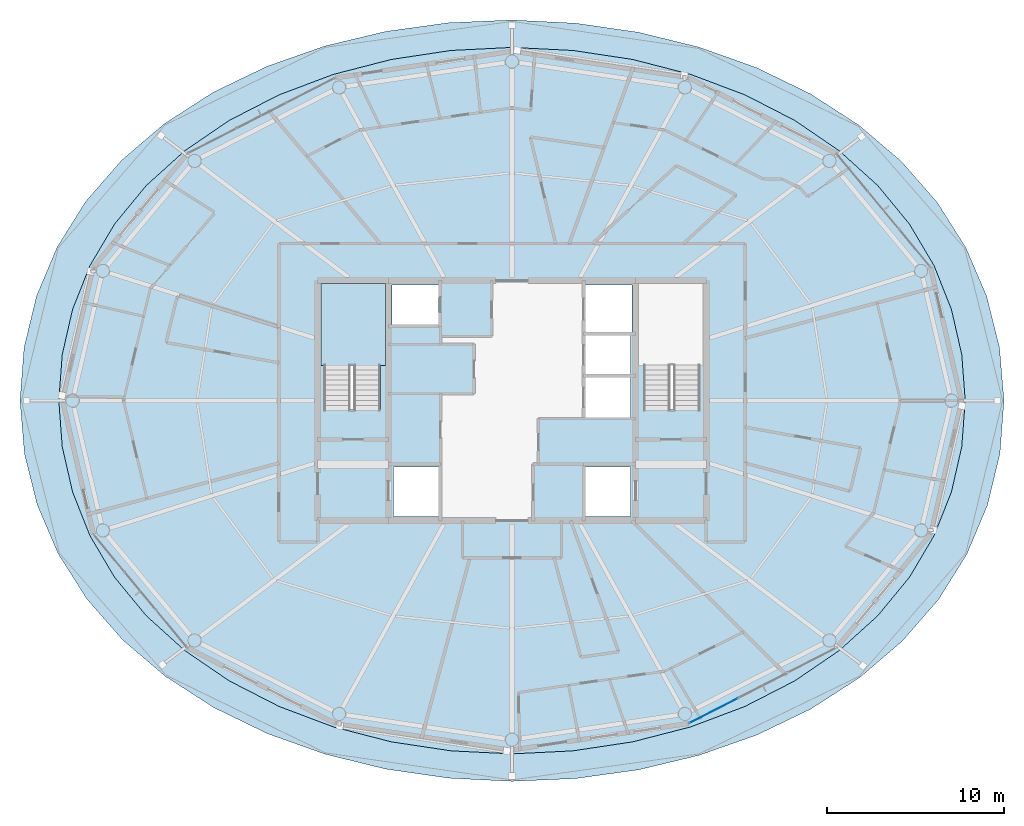
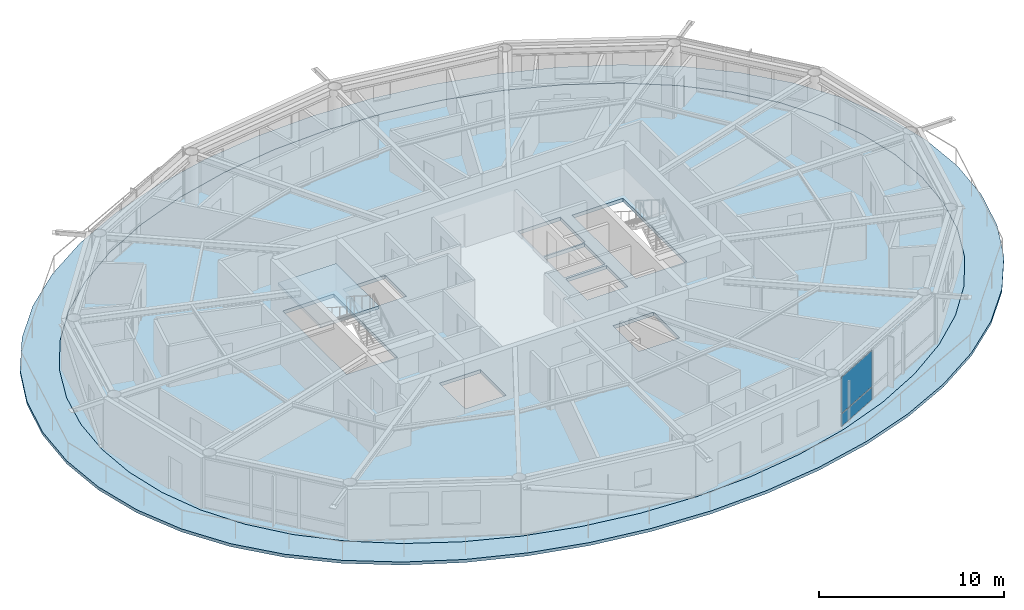
# One storey, part 13 of 23: 3 slabs, 2 plates, 2 elements without a shape of their own.
"""IFC4 building model written with IfcOpenShell, lengths in metres."""

import ifcopenshell
import ifcopenshell.guid

model = None  # the IFC model being written
_history = None  # IfcOwnerHistory: only IFC2X3 demands one
_inside = {}  # id of a spatial element -> (the spatial element, [elements in it])
_under = {}  # id of a project, library or spatial element -> (it, [spatial elements below it])
_declared = {}  # id of a project -> (the project, [libraries it declares])
_typed = {}  # id of a type object -> (the type object, [elements of that type])
_made_of = {}  # id of a material, layer set ... -> (it, [elements and type objects made of it])


def new_model(schema):
    """Start an empty IFC model of exactly this schema.

    Asked for "IFC4X3", IfcOpenShell would pick the latest addendum, in which some entities
    have other attributes; the version numbers below select the first issue.
    IFC2X3 requires an IfcOwnerHistory on every rooted entity: one is made here for all.
    """
    global model, _history
    if schema == "IFC4X3":
        model = ifcopenshell.file(schema_version=(4, 3, 0, 0))
    else:
        model = ifcopenshell.file(schema=schema)
    _inside.clear()
    _under.clear()
    _declared.clear()
    _typed.clear()
    _made_of.clear()
    _history = None
    if model.schema == "IFC2X3":
        org = make("IfcOrganization", Name="unknown")
        user = make(
            "IfcPersonAndOrganization",
            ThePerson=make("IfcPerson", FamilyName="unknown"),
            TheOrganization=org,
        )
        app = make(
            "IfcApplication",
            ApplicationDeveloper=org,
            Version="unknown",
            ApplicationFullName="unknown",
            ApplicationIdentifier="unknown",
        )
        _history = make(
            "IfcOwnerHistory",
            OwningUser=user,
            OwningApplication=app,
            ChangeAction="ADDED",
            CreationDate=0,
        )
    return model


def make(cls, **values):
    """One entity of the class cls with the attributes given. An attribute that is None is left unset."""
    return model.create_entity(
        cls, **{name: value for name, value in values.items() if value is not None}
    )


def rooted(cls, **values):
    """An entity with a GlobalId (a new one), such as an element, a storey or a relation."""
    return make(cls, GlobalId=ifcopenshell.guid.new(), OwnerHistory=_history, **values)


def si_unit(unit_type, name, prefix=None):
    """IfcSIUnit, for example si_unit("LENGTHUNIT", "METRE", prefix="MILLI")."""
    return make("IfcSIUnit", UnitType=unit_type, Prefix=prefix, Name=name)


def assignment(units):
    """IfcUnitAssignment: the units of a project."""
    return None if units is None else make("IfcUnitAssignment", Units=units)


def point(xyz):
    """IfcCartesianPoint."""
    return None if xyz is None else make("IfcCartesianPoint", Coordinates=xyz)


def direction(xyz):
    """IfcDirection."""
    return None if xyz is None else make("IfcDirection", DirectionRatios=xyz)


def frame(location, z_axis=None, x_axis=None):
    """IfcAxis2Placement3D, a coordinate frame: its origin and axes. An axis left out is left unset."""
    return make(
        "IfcAxis2Placement3D",
        Location=point(location),
        Axis=direction(z_axis),
        RefDirection=direction(x_axis),
    )


def frame_2d(location, x_axis=None):
    """IfcAxis2Placement2D, a coordinate frame in the plane: its origin and x axis."""
    return make(
        "IfcAxis2Placement2D", Location=point(location), RefDirection=direction(x_axis)
    )


def origin():
    """The frame at (0, 0, 0) with its axes left unset."""
    return frame((0.0, 0.0, 0.0))


def origin_2d():
    """The frame at (0, 0) in the plane with its x axis left unset."""
    return frame_2d((0.0, 0.0))


def place(relative_to, where):
    """IfcLocalPlacement: puts the frame where relative to a parent placement (None: the world)."""
    return make(
        "IfcLocalPlacement", PlacementRelTo=relative_to, RelativePlacement=where
    )


def context(
    kind, dimensions, precision=None, world=None, true_north=None, identifier=None
):
    """IfcGeometricRepresentationContext, for example the 3D "Model" context."""
    return make(
        "IfcGeometricRepresentationContext",
        ContextIdentifier=identifier,
        ContextType=kind,
        CoordinateSpaceDimension=dimensions,
        Precision=precision,
        WorldCoordinateSystem=world,
        TrueNorth=true_north,
    )


def subcontext(parent, identifier, kind, view, scale=None):
    """IfcGeometricRepresentationSubContext, for example "Body" below "Model"."""
    return make(
        "IfcGeometricRepresentationSubContext",
        ContextIdentifier=identifier,
        ContextType=kind,
        ParentContext=parent,
        TargetScale=scale,
        TargetView=view,
    )


def project(units=None, contexts=None):
    """IfcProject with its units and contexts."""
    return rooted(
        "IfcProject",
        Name="project",
        RepresentationContexts=contexts,
        UnitsInContext=assignment(units),
    )


def spatial(cls, under=None, at=None, **own):
    """A site, building, storey or space (cls), placed at a placement, below another one or the project."""
    s = rooted(cls, ObjectPlacement=at, **own)
    if under is not None:
        _under.setdefault(under.id(), (under, []))[1].append(s)
    return s


def polyline(points):
    """IfcPolyline through the points."""
    return make("IfcPolyline", Points=[point(p) for p in points])


def profile(cls, at=None, kind="AREA", **sizes):
    """A parametric profile (cls). Its sizes go by their IFC names, for example OverallWidth=200.0."""
    return make(cls, ProfileType=kind, Position=at, **sizes)


def rectangle(**sizes):
    """IfcRectangleProfileDef."""
    return profile("IfcRectangleProfileDef", **sizes)


def outline(outer, holes=None, kind="AREA"):
    """IfcArbitraryClosedProfileDef: a profile drawn as a closed curve; with holes, ...WithVoids."""
    if holes is None:
        return make("IfcArbitraryClosedProfileDef", ProfileType=kind, OuterCurve=outer)
    return make(
        "IfcArbitraryProfileDefWithVoids",
        ProfileType=kind,
        OuterCurve=outer,
        InnerCurves=holes,
    )


def extrude(swept, where, along, depth):
    """IfcExtrudedAreaSolid: the profile swept, set in the frame where, extruded along a direction by depth."""
    return make(
        "IfcExtrudedAreaSolid",
        SweptArea=swept,
        Position=where,
        ExtrudedDirection=direction(along),
        Depth=depth,
    )


def shape(context_of_items, identifier, shape_type, items):
    """IfcShapeRepresentation: the items that make up one representation, for example the "Body"."""
    return make(
        "IfcShapeRepresentation",
        ContextOfItems=context_of_items,
        RepresentationIdentifier=identifier,
        RepresentationType=shape_type,
        Items=items,
    )


def material(Name=None, Category=None):
    """IfcMaterial."""
    return make("IfcMaterial", Name=Name, Category=Category)


def layer(
    of_material, thickness, ventilated=None, Name=None, Category=None, Priority=None
):
    """IfcMaterialLayer: one layer of a wall or slab, of a material (None: an air gap)."""
    return make(
        "IfcMaterialLayer",
        Material=of_material,
        LayerThickness=thickness,
        IsVentilated=ventilated,
        Name=Name,
        Category=Category,
        Priority=Priority,
    )


def layer_set(layers, Name=None):
    """IfcMaterialLayerSet."""
    return make("IfcMaterialLayerSet", MaterialLayers=layers, LayerSetName=Name)


def made_of(thing, what):
    """Note that an element or type object is made of a material, layer set ...; save() writes the relation."""
    if what is not None:
        _made_of.setdefault(what.id(), (what, []))[1].append(thing)
    return thing


def type_object(cls, material=None, **own):
    """A type object (cls), such as IfcWallType, which elements share."""
    return made_of(rooted(cls, **own), material)


def element(
    cls,
    number,
    at=None,
    inside=None,
    cuts=None,
    type_object=None,
    material=None,
    context=None,
    identifier="Body",
    shape_type=None,
    held_by="IfcProductDefinitionShape",
    body=None,
    shapes=None,
    **own,
):
    """One element of the class cls, such as IfcWall. Its Tag is "e" and its number.

    at: its placement. inside: the storey or other place that contains it. cuts: it is an
    opening in that element (IfcRelVoidsElement). A single representation is given by context,
    identifier, shape_type and body (its items); several are given by shapes. held_by: the class
    of the entity that holds the representations. save() writes the other relations.
    """
    e = rooted(cls, Tag="e%d" % number, ObjectPlacement=at, **own)
    if body is not None:
        shapes = [shape(context, identifier, shape_type, body)]
    if shapes is not None:
        e.Representation = make(held_by, Representations=shapes)
    if inside is not None:
        _inside.setdefault(inside.id(), (inside, []))[1].append(e)
    if cuts is not None:
        rooted(
            "IfcRelVoidsElement", RelatingBuildingElement=cuts, RelatedOpeningElement=e
        )
    if type_object is not None:
        _typed.setdefault(type_object.id(), (type_object, []))[1].append(e)
    return made_of(e, material)


def aggregate(whole, parts):
    """IfcRelAggregates: a whole, such as a stair, and the parts it consists of."""
    return rooted("IfcRelAggregates", RelatingObject=whole, RelatedObjects=parts)


def save(model, path):
    """Write the relations noted so far, then the file.

    IfcRelAggregates (storeys below a building ...), IfcRelContainedInSpatialStructure (elements
    in a storey), IfcRelDefinesByType, IfcRelAssociatesMaterial and IfcRelDeclares: one each for
    every whole, place, type object, material and project.
    """
    for whole, parts in _under.values():
        aggregate(whole, parts)
    for where, things in _inside.values():
        rooted(
            "IfcRelContainedInSpatialStructure",
            RelatedElements=things,
            RelatingStructure=where,
        )
    for kind, things in _typed.values():
        rooted("IfcRelDefinesByType", RelatedObjects=things, RelatingType=kind)
    for what, things in _made_of.values():
        rooted("IfcRelAssociatesMaterial", RelatedObjects=things, RelatingMaterial=what)
    for by, libraries in _declared.values():
        rooted("IfcRelDeclares", RelatingContext=by, RelatedDefinitions=libraries)
    model.write(path)


model = new_model("IFC4")

# Units and contexts
model_context = context("Model", 3, precision=1e-05, world=origin(), true_north=direction((0.0, 1.0)))
body_context = subcontext(model_context, "Body", "Model", "MODEL_VIEW")
ifc_project = project(units=[si_unit("LENGTHUNIT", "METRE"), si_unit("AREAUNIT", "SQUARE_METRE"), si_unit("VOLUMEUNIT", "CUBIC_METRE"), si_unit("PLANEANGLEUNIT", "RADIAN"), si_unit("MASSUNIT", "GRAM", prefix="KILO")], contexts=[model_context])

# Site, building, storey
site_placement = place(None, origin())
site = spatial("IfcSite", under=ifc_project, at=site_placement, CompositionType="ELEMENT")
building_placement = place(site_placement, origin())
building = spatial("IfcBuilding", under=site, at=building_placement, Name="Sarneth Arch Tower", CompositionType="ELEMENT")
storey_placement = place(building_placement, frame((0.0, 0.0, 269.39990234375)))
storey = spatial("IfcBuildingStorey", under=building, at=storey_placement, Name="L69", CompositionType="ELEMENT", Elevation=269.39990234375)

# Curtain wall, plates
ifc_material_1 = material(Name="Anodised aluminium Type AA25 and solar-control low-e laminated IGU", Category="aluminium")
ifc_layer_1 = layer(ifc_material_1, 0.179931640625)
ifc_layer_set_1 = layer_set([ifc_layer_1], Name="Anodised aluminium Type AA25 and solar-control low-e laminated IGU")
curtain_wall_type = type_object("IfcCurtainWallType", Name="CW-RES-HIGH", PredefinedType="NOTDEFINED", material=ifc_layer_set_1)
curtain_wall_placement = place(storey_placement, origin())
curtain_wall = element("IfcCurtainWall", 1, at=curtain_wall_placement, inside=storey, type_object=curtain_wall_type, Name="L69 Unitised curtain wall facet 14", PredefinedType="NOTDEFINED")
ifc_material_2 = material(Name="Solar-control low-e laminated IGU", Category="glass")
ifc_layer_2 = layer(ifc_material_2, 0.028076171875)
ifc_layer_set_2 = layer_set([ifc_layer_2], Name="Solar-control low-e laminated IGU")
plate_type = type_object("IfcPlateType", Name="CW-PANEL", PredefinedType="CURTAIN_PANEL", material=ifc_layer_set_2)
plate_1_placement = place(storey_placement, frame((59.4208984375, 24.447021484375, 0.06005859375), z_axis=(0.0, 0.0, 1.0), x_axis=(0.890009540525, 0.455941901753, 0.0)))
plate_1 = element("IfcPlate", 2, at=plate_1_placement, type_object=plate_type, Name="Curtain wall glazed vision pane CW-L69-F14/P00-00", PredefinedType="CURTAIN_PANEL", context=body_context, shape_type="SweptSolid", body=[
    extrude(rectangle(XDim=3.044677734375, YDim=0.028076171875, at=origin_2d()), origin(), (0.0, 0.0, 1.0), 0.81005859375),
])
plate_2_placement = place(storey_placement, frame((59.4208984375, 24.447021484375, 0.93017578125), z_axis=(0.0, 0.0, 1.0), x_axis=(0.890009540525, 0.455941901753, 0.0)))
plate_2 = element("IfcPlate", 3, at=plate_2_placement, type_object=plate_type, Name="Curtain wall glazed vision pane CW-L69-F14/P00-01", PredefinedType="CURTAIN_PANEL", context=body_context, shape_type="SweptSolid", body=[
    extrude(rectangle(XDim=3.044677734375, YDim=0.028076171875, at=origin_2d()), origin(), (0.0, 0.0, 1.0), 2.3798828125),
])
aggregate(curtain_wall, [plate_1, plate_2])

# Slab
ifc_material_3 = material(Name="Concrete C50/60", Category="concrete")
ifc_layer_3 = layer(ifc_material_3, 0.199951171875)
ifc_layer_set_3 = layer_set([ifc_layer_3], Name="Concrete C50/60")
slab_type_1 = type_object("IfcSlabType", Name="SLAB-BALC-200", PredefinedType="FLOOR", material=ifc_layer_set_3)
slab_1_placement = place(storey_placement, frame((0.0, 0.0, -0.199951171875)))
element("IfcSlab", 4, at=slab_1_placement, inside=storey, type_object=slab_type_1, Name="L69 Helical balcony band slab", PredefinedType="FLOOR", context=body_context, shape_type="SweptSolid", body=[
    extrude(outline(polyline([(75.857666015625, 42.0), (75.606201171875, 44.992919921875), (74.88232421875, 47.90283203125), (73.700927734375, 50.662841796875), (72.081787109375, 53.222412109375), (70.0498046875, 55.545166015625), (67.636962890625, 57.604248046875), (64.885498046875, 59.379638671875), (61.84716796875, 60.85546875), (58.580078125, 62.01904296875), (55.14501953125, 62.86083984375), (51.599853515625, 63.373779296875), (48.0, 63.55322265625), (44.397705078125, 63.39697265625), (40.845947265625, 62.905029296875), (37.400634765625, 62.080078125), (34.12158203125, 60.92724609375), (31.07080078125, 59.455322265625), (28.30859375, 57.6767578125), (25.88916015625, 55.607666015625), (23.856201171875, 53.2705078125), (22.2431640625, 50.694091796875), (21.0751953125, 47.918212890625), (20.37060546875, 44.996826171875), (20.142333984375, 42.0), (20.393798828125, 39.007080078125), (21.11767578125, 36.09716796875), (22.299072265625, 33.337158203125), (23.918212890625, 30.777587890625), (25.9501953125, 28.454833984375), (28.363037109375, 26.395751953125), (31.114501953125, 24.620361328125), (34.15283203125, 23.14453125), (37.419921875, 21.98095703125), (40.85498046875, 21.13916015625), (44.400146484375, 20.626220703125), (48.0, 20.44677734375), (51.602294921875, 20.60302734375), (55.154052734375, 21.094970703125), (58.599365234375, 21.919921875), (61.87841796875, 23.07275390625), (64.92919921875, 24.544677734375), (67.69140625, 26.3232421875), (70.11083984375, 28.392333984375), (72.143798828125, 30.7294921875), (73.7568359375, 33.305908203125), (74.9248046875, 36.081787109375), (75.62939453125, 39.003173828125), (75.857666015625, 42.0)]), holes=[polyline([(73.660888671875, 42.0), (73.466064453125, 44.610595703125), (72.87890625, 47.17626953125), (71.892822265625, 49.653564453125), (70.5029296875, 52.0), (68.712158203125, 54.17529296875), (66.536865234375, 56.14208984375), (64.009521484375, 57.8671875), (61.177001953125, 59.320556640625), (58.0966796875, 60.4775390625), (54.83203125, 61.318603515625), (51.44580078125, 61.828857421875), (48.0, 62.0), (44.55419921875, 61.828857421875), (41.16796875, 61.318603515625), (37.9033203125, 60.4775390625), (34.822998046875, 59.320556640625), (31.990478515625, 57.8671875), (29.463134765625, 56.14208984375), (27.287841796875, 54.17529296875), (25.4970703125, 52.0), (24.107177734375, 49.653564453125), (23.12109375, 47.17626953125), (22.533935546875, 44.610595703125), (22.339111328125, 42.0), (22.533935546875, 39.389404296875), (23.12109375, 36.82373046875), (24.107177734375, 34.346435546875), (25.4970703125, 32.0), (27.287841796875, 29.82470703125), (29.463134765625, 27.85791015625), (31.990478515625, 26.1328125), (34.822998046875, 24.679443359375), (37.9033203125, 23.5224609375), (41.16796875, 22.681396484375), (44.55419921875, 22.171142578125), (48.0, 22.0), (51.44580078125, 22.171142578125), (54.83203125, 22.681396484375), (58.0966796875, 23.5224609375), (61.177001953125, 24.679443359375), (64.009521484375, 26.1328125), (66.536865234375, 27.85791015625), (68.712158203125, 29.82470703125), (70.5029296875, 32.0), (71.892822265625, 34.346435546875), (72.87890625, 36.82373046875), (73.466064453125, 39.389404296875), (73.660888671875, 42.0)])]), origin(), (0.0, 0.0, 1.0), 0.199951171875),
])

# Stair, slab
ifc_material_4 = material(Name="Concrete C50/60", Category="concrete")
stair_type = type_object("IfcStairType", Name="STAIR-CORE-RC", PredefinedType="HALF_TURN_STAIR", material=ifc_material_4)
stair_placement = place(storey_placement, origin())
stair = element("IfcStair", 5, at=stair_placement, inside=storey, type_object=stair_type, Name="L69 Core Exit Stair 1", PredefinedType="HALF_TURN_STAIR")
ifc_material_5 = material(Name="Concrete C50/60", Category="concrete")
ifc_layer_4 = layer(ifc_material_5, 0.199951171875)
ifc_layer_set_4 = layer_set([ifc_layer_4], Name="Concrete C50/60")
slab_type_2 = type_object("IfcSlabType", Name="SLAB-LANDING-200", PredefinedType="LANDING", material=ifc_layer_set_4)
slab_2_placement = place(storey_placement, frame((0.0, 0.0, 1.60009765625)))
slab_2 = element("IfcSlab", 6, at=slab_2_placement, type_object=slab_type_2, Name="ST-1 landing 1", PredefinedType="LANDING", context=body_context, shape_type="SweptSolid", body=[
    extrude(outline(polyline([(37.175048828125, 43.985107421875), (40.824951171875, 43.985107421875), (40.824951171875, 48.625), (37.175048828125, 48.625), (37.175048828125, 43.985107421875)])), origin(), (0.0, 0.0, 1.0), 0.199951171875),
])
aggregate(stair, [slab_2])

# Slab
ifc_material_6 = material(Name="Concrete C50/60", Category="concrete")
ifc_layer_5 = layer(ifc_material_6, 0.22998046875)
ifc_layer_set_5 = layer_set([ifc_layer_5], Name="Concrete C50/60")
slab_type_3 = type_object("IfcSlabType", Name="SLAB-TOWER-230", PredefinedType="FLOOR", material=ifc_layer_set_5)
slab_3_placement = place(storey_placement, frame((0.0, 0.0, -0.22998046875)))
element("IfcSlab", 7, at=slab_3_placement, inside=storey, type_object=slab_type_3, Name="L69 Elliptical floor slab", PredefinedType="FLOOR", context=body_context, shape_type="SweptSolid", body=[
    extrude(outline(polyline([(73.660888671875, 42.0), (73.466064453125, 44.610595703125), (72.87890625, 47.17626953125), (71.892822265625, 49.653564453125), (70.5029296875, 52.0), (68.712158203125, 54.17529296875), (66.536865234375, 56.14208984375), (64.009521484375, 57.8671875), (61.177001953125, 59.320556640625), (58.0966796875, 60.4775390625), (54.83203125, 61.318603515625), (51.44580078125, 61.828857421875), (48.0, 62.0), (44.55419921875, 61.828857421875), (41.16796875, 61.318603515625), (37.9033203125, 60.4775390625), (34.822998046875, 59.320556640625), (31.990478515625, 57.8671875), (29.463134765625, 56.14208984375), (27.287841796875, 54.17529296875), (25.4970703125, 52.0), (24.107177734375, 49.653564453125), (23.12109375, 47.17626953125), (22.533935546875, 44.610595703125), (22.339111328125, 42.0), (22.533935546875, 39.389404296875), (23.12109375, 36.82373046875), (24.107177734375, 34.346435546875), (25.4970703125, 32.0), (27.287841796875, 29.82470703125), (29.463134765625, 27.85791015625), (31.990478515625, 26.1328125), (34.822998046875, 24.679443359375), (37.9033203125, 23.5224609375), (41.16796875, 22.681396484375), (44.55419921875, 22.171142578125), (48.0, 22.0), (51.44580078125, 22.171142578125), (54.83203125, 22.681396484375), (58.0966796875, 23.5224609375), (61.177001953125, 24.679443359375), (64.009521484375, 26.1328125), (66.536865234375, 27.85791015625), (68.712158203125, 29.82470703125), (70.5029296875, 32.0), (71.892822265625, 34.346435546875), (72.87890625, 36.82373046875), (73.466064453125, 39.389404296875), (73.660888671875, 42.0)]), holes=[polyline([(37.35009765625, 41.489990234375), (40.550048828125, 41.489990234375), (40.550048828125, 48.39990234375), (37.35009765625, 48.39990234375), (37.35009765625, 41.489990234375)]), polyline([(55.449951171875, 41.489990234375), (58.64990234375, 41.489990234375), (58.64990234375, 48.39990234375), (55.449951171875, 48.39990234375), (55.449951171875, 41.489990234375)]), polyline([(41.199951171875, 46.25), (43.85009765625, 46.25), (43.85009765625, 48.550048828125), (41.199951171875, 48.550048828125), (41.199951171875, 46.25)]), polyline([(41.300048828125, 35.449951171875), (43.85009765625, 35.449951171875), (43.85009765625, 38.25), (41.300048828125, 38.25), (41.300048828125, 35.449951171875)]), polyline([(52.14990234375, 35.449951171875), (54.699951171875, 35.449951171875), (54.699951171875, 38.25), (52.14990234375, 38.25), (52.14990234375, 35.449951171875)]), polyline([(52.14990234375, 45.85009765625), (54.800048828125, 45.85009765625), (54.800048828125, 48.550048828125), (52.14990234375, 48.550048828125), (52.14990234375, 45.85009765625)]), polyline([(52.14990234375, 41.050048828125), (54.699951171875, 41.050048828125), (54.699951171875, 43.35009765625), (52.14990234375, 43.35009765625), (52.14990234375, 41.050048828125)]), polyline([(52.14990234375, 43.5), (54.699951171875, 43.5), (54.699951171875, 45.75), (52.14990234375, 45.75), (52.14990234375, 43.5)])]), origin(), (0.0, 0.0, 1.0), 0.22998046875),
])

save(model, "model.ifc")
